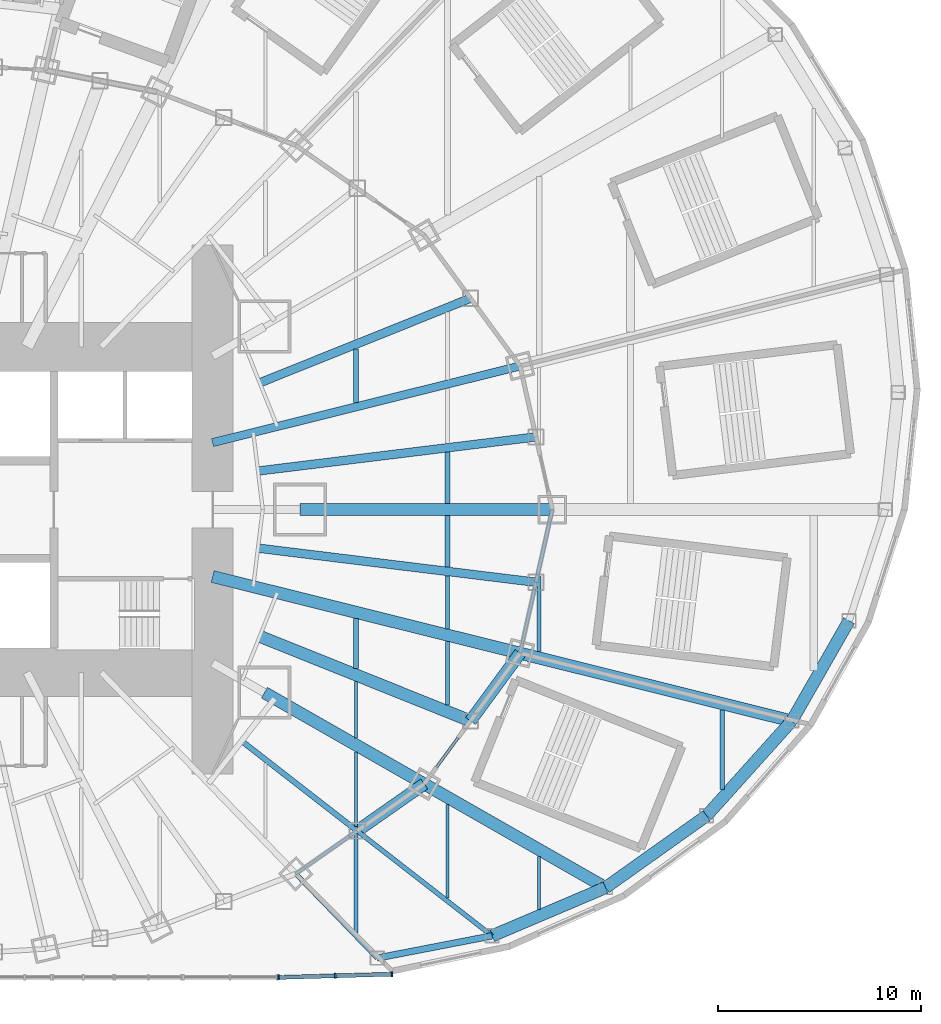
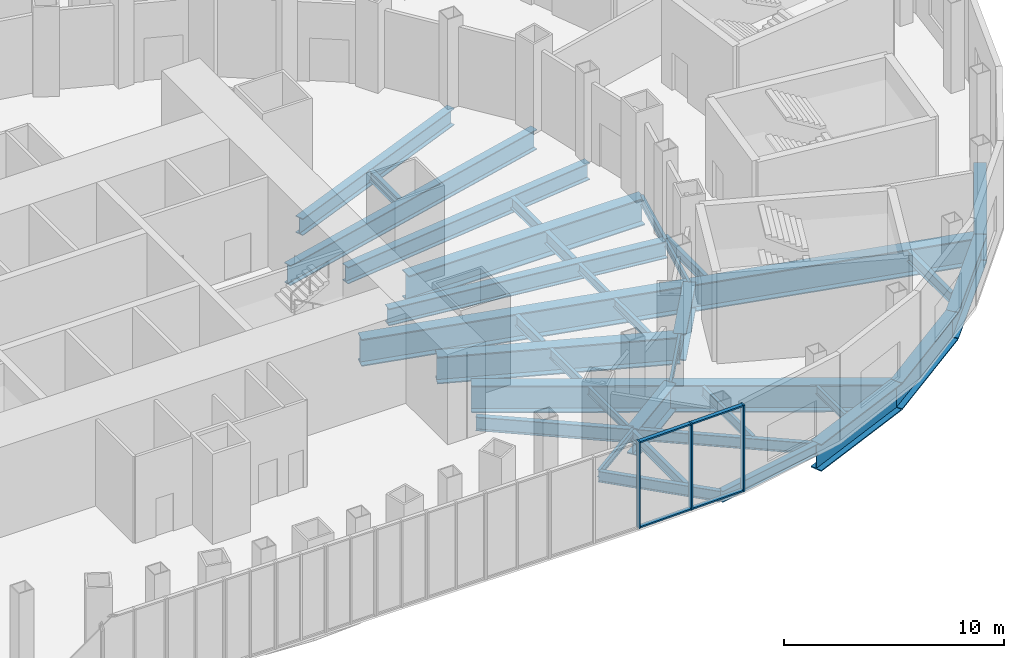
# One storey, part 9 of 73: 37 beams, 7 members, 1 element without a shape of its own.
"""IFC4 building model written with IfcOpenShell, lengths in metres."""

from ifc_helpers import new_model, si_unit, direction, frame, origin, origin_2d, place, context, subcontext, project, spatial, rectangle, i_section, extrude, material, material_profile, profile_set, type_object, element, aggregate, save


model = new_model("IFC4")

# Units and contexts
model_context = context("Model", 3, precision=1e-05, world=origin(), true_north=direction((0.0, 1.0)))
body_context = subcontext(model_context, "Body", "Model", "MODEL_VIEW")
ifc_project = project(units=[si_unit("LENGTHUNIT", "METRE"), si_unit("AREAUNIT", "SQUARE_METRE"), si_unit("VOLUMEUNIT", "CUBIC_METRE"), si_unit("PLANEANGLEUNIT", "RADIAN"), si_unit("MASSUNIT", "GRAM", prefix="KILO")], contexts=[model_context])

# Site, building, storey
site_placement = place(None, origin())
site = spatial("IfcSite", under=ifc_project, at=site_placement, CompositionType="ELEMENT")
building_placement = place(site_placement, origin())
building = spatial("IfcBuilding", under=site, at=building_placement, Name="Lantaw Convention Tower", CompositionType="ELEMENT")
storey_placement = place(building_placement, frame((0.0, 0.0, 22.0)))
storey = spatial("IfcBuildingStorey", under=building, at=storey_placement, Name="L03", CompositionType="ELEMENT", Elevation=22.0)

# Beams
ifc_material_1 = material(Name="Steel ASTM A572 Grade 50", Category="steel")
ifc_material_profile_1 = material_profile(ifc_material_1, i_section(OverallWidth=0.60009765625, OverallDepth=1.5, WebThickness=0.02490234375, FlangeThickness=0.06005859375, at=origin_2d()), Name="PG1500X600X25X60")
ifc_profile_set_1 = profile_set([ifc_material_profile_1], Name="Steel ASTM A572 Grade 50")
beam_type_1 = type_object("IfcBeamType", Name="Beam E PG1500X600X25X60", PredefinedType="SPANDREL", material=ifc_profile_set_1)
beam_1_placement = place(storey_placement, frame((20.308837890625, -15.794189453125, -0.949951171875), z_axis=(0.81942291701, 0.57318939547, 0.0), x_axis=(-0.57318939547, 0.81942291701, 0.0)))
element("IfcBeam", 1, at=beam_1_placement, inside=storey, type_object=beam_type_1, Name="Edge beam 22", PredefinedType="SPANDREL", context=body_context, shape_type="SweptSolid", body=[
    extrude(i_section(OverallWidth=0.60009765625, OverallDepth=1.5, WebThickness=0.02490234375, FlangeThickness=0.06005859375, at=origin_2d()), origin(), (0.0, 0.0, 1.0), 4.0224609375),
])
beam_2_placement = place(storey_placement, frame((25.8779296875, -10.388427734375, -0.949951171875), z_axis=(0.591255937291, 0.806483984105, 0.0), x_axis=(-0.806483984105, 0.591255937291, 0.0)))
element("IfcBeam", 2, at=beam_2_placement, inside=storey, type_object=beam_type_1, Name="Edge beam 23", PredefinedType="SPANDREL", context=body_context, shape_type="SweptSolid", body=[
    extrude(i_section(OverallWidth=0.60009765625, OverallDepth=1.5, WebThickness=0.02490234375, FlangeThickness=0.06005859375, at=origin_2d()), origin(), (0.0, 0.0, 1.0), 4.126708984375),
])
beam_3_placement = place(storey_placement, frame((26.94287109375, -20.95361328125, -0.949951171875), z_axis=(0.920324392734, 0.391155994636, 0.0), x_axis=(-0.391155994636, 0.920324392734, 0.0)))
element("IfcBeam", 3, at=beam_3_placement, inside=storey, type_object=beam_type_1, Name="Podium edge beam B21", PredefinedType="SPANDREL", context=body_context, shape_type="SweptSolid", body=[
    extrude(i_section(OverallWidth=0.60009765625, OverallDepth=1.5, WebThickness=0.02490234375, FlangeThickness=0.06005859375, at=origin_2d()), origin(), (0.0, 0.0, 1.0), 6.060546875),
])
beam_4_placement = place(storey_placement, frame((32.5205078125, -18.5830078125, -0.949951171875), z_axis=(0.814722795246, 0.579850641895, 0.0), x_axis=(-0.579850641895, 0.814722795246, 0.0)))
element("IfcBeam", 4, at=beam_4_placement, inside=storey, type_object=beam_type_1, Name="Podium edge beam R22", PredefinedType="SPANDREL", context=body_context, shape_type="SweptSolid", body=[
    extrude(i_section(OverallWidth=0.60009765625, OverallDepth=1.5, WebThickness=0.02490234375, FlangeThickness=0.06005859375, at=origin_2d()), origin(), (0.0, 0.0, 1.0), 6.095458984375),
])
beam_5_placement = place(storey_placement, frame((37.486572265625, -15.048583984375, -0.949951171875), z_axis=(0.668363614772, 0.74383471178, 0.0), x_axis=(-0.74383471178, 0.668363614772, 0.0)))
element("IfcBeam", 5, at=beam_5_placement, inside=storey, type_object=beam_type_1, Name="Podium edge beam B22", PredefinedType="SPANDREL", context=body_context, shape_type="SweptSolid", body=[
    extrude(i_section(OverallWidth=0.60009765625, OverallDepth=1.5, WebThickness=0.02490234375, FlangeThickness=0.06005859375, at=origin_2d()), origin(), (0.0, 0.0, 1.0), 6.2626953125),
])
beam_6_placement = place(storey_placement, frame((41.67236328125, -10.39013671875, -0.949951171875), z_axis=(0.496180629465, 0.868219317306, 0.0), x_axis=(-0.868219317306, 0.496180629465, 0.0)))
element("IfcBeam", 6, at=beam_6_placement, inside=storey, type_object=beam_type_1, Name="Podium edge beam R23", PredefinedType="SPANDREL", context=body_context, shape_type="SweptSolid", body=[
    extrude(i_section(OverallWidth=0.60009765625, OverallDepth=1.5, WebThickness=0.02490234375, FlangeThickness=0.06005859375, at=origin_2d()), origin(), (0.0, 0.0, 1.0), 5.67578125),
])
ifc_material_2 = material(Name="Steel ASTM A992", Category="steel")
ifc_material_profile_2 = material_profile(ifc_material_2, i_section(OverallWidth=0.140380859375, OverallDepth=0.40380859375, WebThickness=0.007080078125, FlangeThickness=0.01123046875, FilletRadius=0.01025390625, at=origin_2d()), Name="W16X31")
ifc_profile_set_2 = profile_set([ifc_material_profile_2], Name="Steel ASTM A992")
beam_type_2 = type_object("IfcBeamType", Name="Beam E W16X31", PredefinedType="SPANDREL", material=ifc_profile_set_2)
beam_7_placement = place(storey_placement, frame((17.290771484375, -17.9052734375, -0.40185546875), z_axis=(0.819431174801, 0.573177590075, 0.0), x_axis=(-0.573177590075, 0.819431174801, 0.0)))
element("IfcBeam", 7, at=beam_7_placement, inside=storey, type_object=beam_type_2, Name="Edge beam 22", PredefinedType="SPANDREL", context=body_context, shape_type="SweptSolid", body=[
    extrude(i_section(OverallWidth=0.140380859375, OverallDepth=0.40380859375, WebThickness=0.007080078125, FlangeThickness=0.01123046875, FilletRadius=0.01025390625, at=origin_2d()), origin(), (0.0, 0.0, 1.0), 3.68310546875),
])
beam_8_placement = place(storey_placement, frame((23.60498046875, -13.488525390625, -0.40185546875), z_axis=(0.591286566758, 0.806461527893, 0.0), x_axis=(-0.806461527893, 0.591286566758, 0.0)))
element("IfcBeam", 8, at=beam_8_placement, inside=storey, type_object=beam_type_2, Name="Edge beam 23", PredefinedType="SPANDREL", context=body_context, shape_type="SweptSolid", body=[
    extrude(i_section(OverallWidth=0.140380859375, OverallDepth=0.40380859375, WebThickness=0.007080078125, FlangeThickness=0.01123046875, FilletRadius=0.01025390625, at=origin_2d()), origin(), (0.0, 0.0, 1.0), 3.843994140625),
])
beam_9_placement = place(storey_placement, frame((28.31787109375, -7.060302734375, -0.40185546875), z_axis=(0.218673326171, 0.97579812278, 0.0), x_axis=(-0.97579812278, 0.218673326171, 0.0)))
element("IfcBeam", 9, at=beam_9_placement, inside=storey, type_object=beam_type_2, Name="Edge beam 24", PredefinedType="SPANDREL", context=body_context, shape_type="SweptSolid", body=[
    extrude(i_section(OverallWidth=0.140380859375, OverallDepth=0.40380859375, WebThickness=0.007080078125, FlangeThickness=0.01123046875, FilletRadius=0.01025390625, at=origin_2d()), origin(), (0.0, 0.0, 1.0), 3.57373046875),
])
ifc_material_profile_3 = material_profile(ifc_material_2, i_section(OverallWidth=0.165771484375, OverallDepth=0.5283203125, WebThickness=0.009765625, FlangeThickness=0.013671875, FilletRadius=0.012939453125, at=origin_2d()), Name="W21X50")
ifc_profile_set_3 = profile_set([ifc_material_profile_3], Name="Steel ASTM A992")
beam_type_3 = type_object("IfcBeamType", Name="Beam E W21X50", PredefinedType="SPANDREL", material=ifc_profile_set_3)
beam_10_placement = place(storey_placement, frame((29.099365234375, -3.572998046875, -0.464111328125), z_axis=(0.218631550323, 0.975807483679, 0.0), x_axis=(-0.975807483679, 0.218631550323, 0.0)))
element("IfcBeam", 10, at=beam_10_placement, inside=storey, type_object=beam_type_3, Name="Edge beam 24", PredefinedType="SPANDREL", context=body_context, shape_type="SweptSolid", body=[
    extrude(i_section(OverallWidth=0.165771484375, OverallDepth=0.5283203125, WebThickness=0.009765625, FlangeThickness=0.013671875, FilletRadius=0.012939453125, at=origin_2d()), origin(), (0.0, 0.0, 1.0), 3.66162109375),
])
ifc_material_profile_4 = material_profile(ifc_material_2, i_section(OverallWidth=0.3251953125, OverallDepth=0.612060546875, WebThickness=0.0126953125, FlangeThickness=0.01904296875, FilletRadius=0.0126953125, at=origin_2d()), Name="W24X104")
ifc_profile_set_4 = profile_set([ifc_material_profile_4], Name="Steel ASTM A992")
beam_type_4 = type_object("IfcBeamType", Name="Beam E W24X104", PredefinedType="SPANDREL", material=ifc_profile_set_4)
beam_11_placement = place(storey_placement, frame((21.290771484375, -22.04736328125, -0.506103515625), z_axis=(0.981786485539, 0.18998762279, 0.0), x_axis=(-0.18998762279, 0.981786485539, 0.0)))
element("IfcBeam", 11, at=beam_11_placement, inside=storey, type_object=beam_type_4, Name="Podium edge beam R21", PredefinedType="SPANDREL", context=body_context, shape_type="SweptSolid", body=[
    extrude(i_section(OverallWidth=0.3251953125, OverallDepth=0.612060546875, WebThickness=0.0126953125, FlangeThickness=0.01904296875, FilletRadius=0.0126953125, at=origin_2d()), origin(), (0.0, 0.0, 1.0), 5.7568359375),
])
ifc_material_profile_5 = material_profile(ifc_material_1, i_section(OverallWidth=0.60009765625, OverallDepth=1.5, WebThickness=0.02490234375, FlangeThickness=0.06005859375, at=origin_2d()), Name="PG1500X600X25X60")
ifc_profile_set_5 = profile_set([ifc_material_profile_5], Name="Steel ASTM A572 Grade 50")
beam_type_5 = type_object("IfcBeamType", Name="Beam G PG1500X600X25X60", PredefinedType="BEAM", material=ifc_profile_set_5)
beam_12_placement = place(storey_placement, frame((17.5, 0.0, -0.949951171875), z_axis=(1.0, 0.0, 0.0), x_axis=(0.0, 1.0, 0.0)))
element("IfcBeam", 12, at=beam_12_placement, inside=storey, type_object=beam_type_5, Name="Floor girder on ray 1", PredefinedType="BEAM", context=body_context, shape_type="SweptSolid", body=[
    extrude(i_section(OverallWidth=0.60009765625, OverallDepth=1.5, WebThickness=0.02490234375, FlangeThickness=0.06005859375, at=origin_2d()), origin(), (0.0, 0.0, 1.0), 12.39990234375),
])
beam_13_placement = place(storey_placement, frame((15.75, -9.0, -0.949951171875), z_axis=(0.868244802791, -0.496136032179, 0.0), x_axis=(0.496136032179, 0.868244802791, 0.0)))
element("IfcBeam", 13, at=beam_13_placement, inside=storey, type_object=beam_type_5, Name="Floor girder on ray 23", PredefinedType="BEAM", context=body_context, shape_type="SweptSolid", body=[
    extrude(i_section(OverallWidth=0.60009765625, OverallDepth=1.5, WebThickness=0.02490234375, FlangeThickness=0.06005859375, at=origin_2d()), origin(), (0.0, 0.0, 1.0), 9.046875),
])
beam_14_placement = place(storey_placement, frame((15.52001953125, -6.230224609375, -0.949951171875), z_axis=(0.928011337871, -0.37255195179, 0.0), x_axis=(0.37255195179, 0.928011337871, 0.0)))
element("IfcBeam", 14, at=beam_14_placement, inside=storey, type_object=beam_type_5, Name="Floor girder on bisector 23", PredefinedType="BEAM", context=body_context, shape_type="SweptSolid", body=[
    extrude(i_section(OverallWidth=0.60009765625, OverallDepth=1.5, WebThickness=0.02490234375, FlangeThickness=0.06005859375, at=origin_2d()), origin(), (0.0, 0.0, 1.0), 11.161376953125),
])
beam_15_placement = place(storey_placement, frame((13.199951171875, -3.291015625, -0.949951171875), z_axis=(0.970296233567, -0.241919860957, 0.0), x_axis=(0.241919860957, 0.970296233567, 0.0)))
element("IfcBeam", 15, at=beam_15_placement, inside=storey, type_object=beam_type_5, Name="Floor girder on ray 24", PredefinedType="BEAM", context=body_context, shape_type="SweptSolid", body=[
    extrude(i_section(OverallWidth=0.60009765625, OverallDepth=1.5, WebThickness=0.02490234375, FlangeThickness=0.06005859375, at=origin_2d()), origin(), (0.0, 0.0, 1.0), 15.580810546875),
])
ifc_material_profile_6 = material_profile(ifc_material_2, i_section(OverallWidth=0.2666015625, OverallDepth=0.76953125, WebThickness=0.015625, FlangeThickness=0.025390625, FilletRadius=0.0126953125, at=origin_2d()), Name="W30X132")
ifc_profile_set_6 = profile_set([ifc_material_profile_6], Name="Steel ASTM A992")
beam_type_6 = type_object("IfcBeamType", Name="Beam G W30X132", PredefinedType="BEAM", material=ifc_profile_set_6)
beam_16_placement = place(storey_placement, frame((14.628173828125, -11.37646484375, -0.584716796875), z_axis=(0.789390578332, -0.613891289106, 0.0), x_axis=(0.613891289106, 0.789390578332, 0.0)))
element("IfcBeam", 16, at=beam_16_placement, inside=storey, type_object=beam_type_6, Name="Floor girder on bisector 22", PredefinedType="BEAM", context=body_context, shape_type="SweptSolid", body=[
    extrude(i_section(OverallWidth=0.2666015625, OverallDepth=0.76953125, WebThickness=0.015625, FlangeThickness=0.025390625, FilletRadius=0.0126953125, at=origin_2d()), origin(), (0.0, 0.0, 1.0), 7.1962890625),
])
ifc_material_profile_7 = material_profile(ifc_material_2, i_section(OverallWidth=0.421630859375, OverallDepth=0.937255859375, WebThickness=0.0224609375, FlangeThickness=0.039794921875, FilletRadius=0.02001953125, at=origin_2d()), Name="W36X282")
ifc_profile_set_7 = profile_set([ifc_material_profile_7], Name="Steel ASTM A992")
beam_type_7 = type_object("IfcBeamType", Name="Beam G W36X282", PredefinedType="BEAM", material=ifc_profile_set_7)
beam_17_placement = place(storey_placement, frame((15.433349609375, 1.89501953125, -0.668701171875), z_axis=(0.99254612715, 0.121869542874, 0.0), x_axis=(-0.121869542874, 0.99254612715, 0.0)))
element("IfcBeam", 17, at=beam_17_placement, inside=storey, type_object=beam_type_7, Name="Floor girder on bisector 1", PredefinedType="BEAM", context=body_context, shape_type="SweptSolid", body=[
    extrude(i_section(OverallWidth=0.421630859375, OverallDepth=0.937255859375, WebThickness=0.0224609375, FlangeThickness=0.039794921875, FilletRadius=0.02001953125, at=origin_2d()), origin(), (0.0, 0.0, 1.0), 13.7685546875),
])
beam_18_placement = place(storey_placement, frame((15.52001953125, 6.23046875, -0.668701171875), z_axis=(0.928018900171, 0.372533113864, 0.0), x_axis=(-0.372533113864, 0.928018900171, 0.0)))
element("IfcBeam", 18, at=beam_18_placement, inside=storey, type_object=beam_type_7, Name="Floor girder on bisector 2", PredefinedType="BEAM", context=body_context, shape_type="SweptSolid", body=[
    extrude(i_section(OverallWidth=0.421630859375, OverallDepth=0.937255859375, WebThickness=0.0224609375, FlangeThickness=0.039794921875, FilletRadius=0.02001953125, at=origin_2d()), origin(), (0.0, 0.0, 1.0), 11.161376953125),
])
ifc_material_profile_8 = material_profile(ifc_material_2, i_section(OverallWidth=0.424072265625, OverallDepth=0.947509765625, WebThickness=0.02392578125, FlangeThickness=0.042724609375, FilletRadius=0.012451171875, at=origin_2d()), Name="W36X302")
ifc_profile_set_8 = profile_set([ifc_material_profile_8], Name="Steel ASTM A992")
beam_type_8 = type_object("IfcBeamType", Name="Beam G W36X302", PredefinedType="BEAM", material=ifc_profile_set_8)
beam_19_placement = place(storey_placement, frame((15.433349609375, -1.89501953125, -0.673828125), z_axis=(0.99254612715, -0.121869542874, 0.0), x_axis=(0.121869542874, 0.99254612715, 0.0)))
element("IfcBeam", 19, at=beam_19_placement, inside=storey, type_object=beam_type_8, Name="Floor girder on bisector 24", PredefinedType="BEAM", context=body_context, shape_type="SweptSolid", body=[
    extrude(i_section(OverallWidth=0.424072265625, OverallDepth=0.947509765625, WebThickness=0.02392578125, FlangeThickness=0.042724609375, FilletRadius=0.012451171875, at=origin_2d()), origin(), (0.0, 0.0, 1.0), 13.7685546875),
])
ifc_material_profile_9 = material_profile(ifc_material_2, i_section(OverallWidth=0.40380859375, OverallDepth=1.11767578125, WebThickness=0.026123046875, FlangeThickness=0.044921875, FilletRadius=0.02001953125, at=origin_2d()), Name="W44X335")
ifc_profile_set_9 = profile_set([ifc_material_profile_9], Name="Steel ASTM A992")
beam_type_9 = type_object("IfcBeamType", Name="Beam G W44X335", PredefinedType="BEAM", material=ifc_profile_set_9)
beam_20_placement = place(storey_placement, frame((13.199951171875, 3.291015625, -0.7587890625), z_axis=(0.970296233567, 0.241919860957, 0.0), x_axis=(-0.241919860957, 0.970296233567, 0.0)))
element("IfcBeam", 20, at=beam_20_placement, inside=storey, type_object=beam_type_9, Name="Floor girder on ray 2", PredefinedType="BEAM", context=body_context, shape_type="SweptSolid", body=[
    extrude(i_section(OverallWidth=0.40380859375, OverallDepth=1.11767578125, WebThickness=0.026123046875, FlangeThickness=0.044921875, FilletRadius=0.02001953125, at=origin_2d()), origin(), (0.0, 0.0, 1.0), 15.580810546875),
])
ifc_material_profile_10 = material_profile(ifc_material_2, i_section(OverallWidth=0.15234375, OverallDepth=0.449462890625, WebThickness=0.007568359375, FlangeThickness=0.0107421875, FilletRadius=0.01025390625, at=origin_2d()), Name="W18X35")
ifc_profile_set_10 = profile_set([ifc_material_profile_10], Name="Steel ASTM A992")
beam_type_10 = type_object("IfcBeamType", Name="Beam J W18X35", PredefinedType="JOIST", material=ifc_profile_set_10)
beam_21_placement = place(storey_placement, frame((20.25, -15.57958984375, -0.4248046875), z_axis=(0.0, 1.0, 0.0), x_axis=(-1.0, 0.0, 0.0)))
element("IfcBeam", 21, at=beam_21_placement, inside=storey, type_object=beam_type_10, Name="Floor joist", PredefinedType="JOIST", context=body_context, shape_type="SweptSolid", body=[
    extrude(i_section(OverallWidth=0.15234375, OverallDepth=0.449462890625, WebThickness=0.007568359375, FlangeThickness=0.0107421875, FilletRadius=0.01025390625, at=origin_2d()), origin(), (0.0, 0.0, 1.0), 3.66259765625),
])
beam_22_placement = place(storey_placement, frame((29.25, -19.647216796875, -0.4248046875), z_axis=(0.0, 1.0, 0.0), x_axis=(-1.0, 0.0, 0.0)))
element("IfcBeam", 22, at=beam_22_placement, inside=storey, type_object=beam_type_10, Name="Floor joist", PredefinedType="JOIST", context=body_context, shape_type="SweptSolid", body=[
    extrude(i_section(OverallWidth=0.15234375, OverallDepth=0.449462890625, WebThickness=0.007568359375, FlangeThickness=0.0107421875, FilletRadius=0.01025390625, at=origin_2d()), origin(), (0.0, 0.0, 1.0), 2.58740234375),
])
ifc_material_profile_11 = material_profile(ifc_material_2, i_section(OverallWidth=0.1904296875, OverallDepth=0.457275390625, WebThickness=0.009033203125, FlangeThickness=0.014404296875, FilletRadius=0.01025390625, at=origin_2d()), Name="W18X50")
ifc_profile_set_11 = profile_set([ifc_material_profile_11], Name="Steel ASTM A992")
beam_type_11 = type_object("IfcBeamType", Name="Beam J W18X50", PredefinedType="JOIST", material=ifc_profile_set_11)
beam_23_placement = place(storey_placement, frame((24.75, -9.6123046875, -0.4287109375), z_axis=(0.0, 1.0, 0.0), x_axis=(-1.0, 0.0, 0.0)))
element("IfcBeam", 23, at=beam_23_placement, inside=storey, type_object=beam_type_11, Name="Floor joist", PredefinedType="JOIST", context=body_context, shape_type="SweptSolid", body=[
    extrude(i_section(OverallWidth=0.1904296875, OverallDepth=0.457275390625, WebThickness=0.009033203125, FlangeThickness=0.014404296875, FilletRadius=0.01025390625, at=origin_2d()), origin(), (0.0, 0.0, 1.0), 3.13232421875),
])
beam_24_placement = place(storey_placement, frame((24.75, -5.861572265625, -0.4287109375), z_axis=(0.0, 1.0, 0.0), x_axis=(-1.0, 0.0, 0.0)))
element("IfcBeam", 24, at=beam_24_placement, inside=storey, type_object=beam_type_11, Name="Floor joist", PredefinedType="JOIST", context=body_context, shape_type="SweptSolid", body=[
    extrude(i_section(OverallWidth=0.1904296875, OverallDepth=0.457275390625, WebThickness=0.009033203125, FlangeThickness=0.014404296875, FilletRadius=0.01025390625, at=origin_2d()), origin(), (0.0, 0.0, 1.0), 2.60888671875),
])
ifc_material_profile_12 = material_profile(ifc_material_2, i_section(OverallWidth=0.1650390625, OverallDepth=0.52587890625, WebThickness=0.0087890625, FlangeThickness=0.011474609375, FilletRadius=0.0126953125, at=origin_2d()), Name="W21X44")
ifc_profile_set_12 = profile_set([ifc_material_profile_12], Name="Steel ASTM A992")
beam_type_12 = type_object("IfcBeamType", Name="Beam J W21X44", PredefinedType="JOIST", material=ifc_profile_set_12)
beam_25_placement = place(storey_placement, frame((20.25, -11.225830078125, -0.462890625), z_axis=(0.0, 1.0, 0.0), x_axis=(-1.0, 0.0, 0.0)))
element("IfcBeam", 25, at=beam_25_placement, inside=storey, type_object=beam_type_12, Name="Floor joist", PredefinedType="JOIST", context=body_context, shape_type="SweptSolid", body=[
    extrude(i_section(OverallWidth=0.1650390625, OverallDepth=0.52587890625, WebThickness=0.0087890625, FlangeThickness=0.011474609375, FilletRadius=0.0126953125, at=origin_2d()), origin(), (0.0, 0.0, 1.0), 2.7734375),
])
beam_26_placement = place(storey_placement, frame((24.75, -19.10302734375, -0.462890625), z_axis=(0.0, 1.0, 0.0), x_axis=(-1.0, 0.0, 0.0)))
element("IfcBeam", 26, at=beam_26_placement, inside=storey, type_object=beam_type_12, Name="Floor joist", PredefinedType="JOIST", context=body_context, shape_type="SweptSolid", body=[
    extrude(i_section(OverallWidth=0.1650390625, OverallDepth=0.52587890625, WebThickness=0.0087890625, FlangeThickness=0.011474609375, FilletRadius=0.0126953125, at=origin_2d()), origin(), (0.0, 0.0, 1.0), 4.61474609375),
])
ifc_material_profile_13 = material_profile(ifc_material_2, i_section(OverallWidth=0.209228515625, OverallDepth=0.533447265625, WebThickness=0.01025390625, FlangeThickness=0.015625, FilletRadius=0.012939453125, at=origin_2d()), Name="W21X62")
ifc_profile_set_13 = profile_set([ifc_material_profile_13], Name="Steel ASTM A992")
beam_type_13 = type_object("IfcBeamType", Name="Beam J W21X62", PredefinedType="JOIST", material=ifc_profile_set_13)
beam_27_placement = place(storey_placement, frame((29.25, -6.983642578125, -0.466796875), z_axis=(0.0, 1.0, 0.0), x_axis=(-1.0, 0.0, 0.0)))
element("IfcBeam", 27, at=beam_27_placement, inside=storey, type_object=beam_type_13, Name="Floor joist", PredefinedType="JOIST", context=body_context, shape_type="SweptSolid", body=[
    extrude(i_section(OverallWidth=0.209228515625, OverallDepth=0.533447265625, WebThickness=0.01025390625, FlangeThickness=0.015625, FilletRadius=0.012939453125, at=origin_2d()), origin(), (0.0, 0.0, 1.0), 3.703857421875),
])
ifc_material_profile_14 = material_profile(ifc_material_2, i_section(OverallWidth=0.2099609375, OverallDepth=0.535888671875, WebThickness=0.010986328125, FlangeThickness=0.017333984375, FilletRadius=0.012939453125, at=origin_2d()), Name="W21X68")
ifc_profile_set_14 = profile_set([ifc_material_profile_14], Name="Steel ASTM A992")
beam_type_14 = type_object("IfcBeamType", Name="Beam J W21X68", PredefinedType="JOIST", material=ifc_profile_set_14)
beam_28_placement = place(storey_placement, frame((20.25, -20.805419921875, -0.468017578125), z_axis=(0.0, 1.0, 0.0), x_axis=(-1.0, 0.0, 0.0)))
element("IfcBeam", 28, at=beam_28_placement, inside=storey, type_object=beam_type_14, Name="Floor joist", PredefinedType="JOIST", context=body_context, shape_type="SweptSolid", body=[
    extrude(i_section(OverallWidth=0.2099609375, OverallDepth=0.535888671875, WebThickness=0.010986328125, FlangeThickness=0.017333984375, FilletRadius=0.012939453125, at=origin_2d()), origin(), (0.0, 0.0, 1.0), 4.884521484375),
])
ifc_material_profile_15 = material_profile(ifc_material_2, i_section(OverallWidth=0.227783203125, OverallDepth=0.60205078125, WebThickness=0.010498046875, FlangeThickness=0.014892578125, FilletRadius=0.012939453125, at=origin_2d()), Name="W24X68")
ifc_profile_set_15 = profile_set([ifc_material_profile_15], Name="Steel ASTM A992")
beam_type_15 = type_object("IfcBeamType", Name="Beam J W24X68", PredefinedType="JOIST", material=ifc_profile_set_15)
beam_29_placement = place(storey_placement, frame((20.25, -7.805908203125, -0.5009765625), z_axis=(0.0, 1.0, 0.0), x_axis=(-1.0, 0.0, 0.0)))
element("IfcBeam", 29, at=beam_29_placement, inside=storey, type_object=beam_type_15, Name="Floor joist", PredefinedType="JOIST", context=body_context, shape_type="SweptSolid", body=[
    extrude(i_section(OverallWidth=0.227783203125, OverallDepth=0.60205078125, WebThickness=0.010498046875, FlangeThickness=0.014892578125, FilletRadius=0.012939453125, at=origin_2d()), origin(), (0.0, 0.0, 1.0), 2.44775390625),
])
beam_30_placement = place(storey_placement, frame((20.25, 5.257080078125, -0.5009765625), z_axis=(0.0, 1.0, 0.0), x_axis=(-1.0, 0.0, 0.0)))
element("IfcBeam", 30, at=beam_30_placement, inside=storey, type_object=beam_type_15, Name="Floor joist", PredefinedType="JOIST", context=body_context, shape_type="SweptSolid", body=[
    extrude(i_section(OverallWidth=0.227783203125, OverallDepth=0.60205078125, WebThickness=0.010498046875, FlangeThickness=0.014892578125, FilletRadius=0.012939453125, at=origin_2d()), origin(), (0.0, 0.0, 1.0), 2.64501953125),
])
ifc_material_profile_16 = material_profile(ifc_material_2, i_section(OverallWidth=0.22900390625, OverallDepth=0.612060546875, WebThickness=0.011962890625, FlangeThickness=0.01953125, FilletRadius=0.0126953125, at=origin_2d()), Name="W24X84")
ifc_profile_set_16 = profile_set([ifc_material_profile_16], Name="Steel ASTM A992")
beam_type_16 = type_object("IfcBeamType", Name="Beam J W24X84", PredefinedType="JOIST", material=ifc_profile_set_16)
beam_31_placement = place(storey_placement, frame((24.75, 0.300048828125, -0.506103515625), z_axis=(0.0, 1.0, 0.0), x_axis=(-1.0, 0.0, 0.0)))
element("IfcBeam", 31, at=beam_31_placement, inside=storey, type_object=beam_type_16, Name="Floor joist", PredefinedType="JOIST", context=body_context, shape_type="SweptSolid", body=[
    extrude(i_section(OverallWidth=0.22900390625, OverallDepth=0.612060546875, WebThickness=0.011962890625, FlangeThickness=0.01953125, FilletRadius=0.0126953125, at=origin_2d()), origin(), (0.0, 0.0, 1.0), 2.5263671875),
])
beam_32_placement = place(storey_placement, frame((38.25, -13.75, -0.506103515625), z_axis=(0.0, 1.0, 0.0), x_axis=(-1.0, 0.0, 0.0)))
element("IfcBeam", 32, at=beam_32_placement, inside=storey, type_object=beam_type_16, Name="Floor joist", PredefinedType="JOIST", context=body_context, shape_type="SweptSolid", body=[
    extrude(i_section(OverallWidth=0.22900390625, OverallDepth=0.612060546875, WebThickness=0.011962890625, FlangeThickness=0.01953125, FilletRadius=0.0126953125, at=origin_2d()), origin(), (0.0, 0.0, 1.0), 3.904052734375),
])
ifc_material_profile_17 = material_profile(ifc_material_2, i_section(OverallWidth=0.25390625, OverallDepth=0.683349609375, WebThickness=0.012451171875, FlangeThickness=0.01904296875, FilletRadius=0.01513671875, at=origin_2d()), Name="W27X94")
ifc_profile_set_17 = profile_set([ifc_material_profile_17], Name="Steel ASTM A992")
beam_type_17 = type_object("IfcBeamType", Name="Beam J W27X94", PredefinedType="JOIST", material=ifc_profile_set_17)
beam_33_placement = place(storey_placement, frame((24.75, -2.8251953125, -0.541748046875), z_axis=(0.0, 1.0, 0.0), x_axis=(-1.0, 0.0, 0.0)))
element("IfcBeam", 33, at=beam_33_placement, inside=storey, type_object=beam_type_17, Name="Floor joist", PredefinedType="JOIST", context=body_context, shape_type="SweptSolid", body=[
    extrude(i_section(OverallWidth=0.25390625, OverallDepth=0.683349609375, WebThickness=0.012451171875, FlangeThickness=0.01904296875, FilletRadius=0.01513671875, at=origin_2d()), origin(), (0.0, 0.0, 1.0), 2.525146484375),
])
ifc_material_profile_18 = material_profile(ifc_material_1, i_section(OverallWidth=0.60009765625, OverallDepth=1.5, WebThickness=0.02490234375, FlangeThickness=0.06005859375, at=origin_2d()), Name="PG1500X600X25X60")
ifc_profile_set_18 = profile_set([ifc_material_profile_18], Name="Steel ASTM A572 Grade 50")
beam_type_18 = type_object("IfcBeamType", Name="Beam PG PG1500X600X25X60", PredefinedType="BEAM", material=ifc_profile_set_18)
beam_34_placement = place(storey_placement, frame((23.60498046875, -13.488525390625, -0.949951171875), z_axis=(0.868247531483, -0.4961312569, 0.0), x_axis=(0.4961312569, 0.868247531483, 0.0)))
element("IfcBeam", 34, at=beam_34_placement, inside=storey, type_object=beam_type_18, Name="Podium girder PR23", PredefinedType="BEAM", context=body_context, shape_type="SweptSolid", body=[
    extrude(i_section(OverallWidth=0.60009765625, OverallDepth=1.5, WebThickness=0.02490234375, FlangeThickness=0.06005859375, at=origin_2d()), origin(), (0.0, 0.0, 1.0), 10.268310546875),
])
beam_35_placement = place(storey_placement, frame((28.31787109375, -7.060302734375, -0.949951171875), z_axis=(0.97029256898, -0.24193455847, 0.0), x_axis=(0.24193455847, 0.97029256898, 0.0)))
element("IfcBeam", 35, at=beam_35_placement, inside=storey, type_object=beam_type_18, Name="Podium girder PR24", PredefinedType="BEAM", context=body_context, shape_type="SweptSolid", body=[
    extrude(i_section(OverallWidth=0.60009765625, OverallDepth=1.5, WebThickness=0.02490234375, FlangeThickness=0.06005859375, at=origin_2d()), origin(), (0.0, 0.0, 1.0), 13.763427734375),
])
ifc_material_profile_19 = material_profile(ifc_material_2, i_section(OverallWidth=0.227783203125, OverallDepth=0.60205078125, WebThickness=0.010498046875, FlangeThickness=0.014892578125, FilletRadius=0.012939453125, at=origin_2d()), Name="W24X68")
ifc_profile_set_19 = profile_set([ifc_material_profile_19], Name="Steel ASTM A992")
beam_type_19 = type_object("IfcBeamType", Name="Beam PG W24X68", PredefinedType="BEAM", material=ifc_profile_set_19)
beam_36_placement = place(storey_placement, frame((17.290771484375, -17.9052734375, -0.5009765625), z_axis=(0.694661096328, -0.719337167987, 0.0), x_axis=(0.719337167987, 0.694661096328, 0.0)))
element("IfcBeam", 36, at=beam_36_placement, inside=storey, type_object=beam_type_19, Name="Podium girder PR22", PredefinedType="BEAM", context=body_context, shape_type="SweptSolid", body=[
    extrude(i_section(OverallWidth=0.227783203125, OverallDepth=0.60205078125, WebThickness=0.010498046875, FlangeThickness=0.014892578125, FilletRadius=0.012939453125, at=origin_2d()), origin(), (0.0, 0.0, 1.0), 5.75830078125),
])
ifc_material_profile_20 = material_profile(ifc_material_2, i_section(OverallWidth=0.22900390625, OverallDepth=0.612060546875, WebThickness=0.011962890625, FlangeThickness=0.01953125, FilletRadius=0.0126953125, at=origin_2d()), Name="W24X84")
ifc_profile_set_20 = profile_set([ifc_material_profile_20], Name="Steel ASTM A992")
beam_type_20 = type_object("IfcBeamType", Name="Beam PG W24X84", PredefinedType="BEAM", material=ifc_profile_set_20)
beam_37_placement = place(storey_placement, frame((20.308837890625, -15.794189453125, -0.506103515625), z_axis=(0.789374116062, -0.613912457025, 0.0), x_axis=(0.613912457025, 0.789374116062, 0.0)))
element("IfcBeam", 37, at=beam_37_placement, inside=storey, type_object=beam_type_20, Name="Podium girder PB22", PredefinedType="BEAM", context=body_context, shape_type="SweptSolid", body=[
    extrude(i_section(OverallWidth=0.22900390625, OverallDepth=0.612060546875, WebThickness=0.011962890625, FlangeThickness=0.01953125, FilletRadius=0.0126953125, at=origin_2d()), origin(), (0.0, 0.0, 1.0), 8.404052734375),
])

# Curtain wall, members
ifc_material_3 = material(Name="Aluminium framed curtain wall", Category="aluminium")
curtain_wall_type = type_object("IfcCurtainWallType", Name="Podium storefront curtain wall, pale aluminium", PredefinedType="USERDEFINED", material=ifc_material_3)
curtain_wall_placement = place(storey_placement, origin())
curtain_wall = element("IfcCurtainWall", 38, at=curtain_wall_placement, inside=storey, type_object=curtain_wall_type, Name="Podium storefront curtain wall, pale aluminium L03", ObjectType="STOREFRONT", PredefinedType="USERDEFINED")
ifc_material_4 = material(Name="Aluminium 6063-T6", Category="aluminium")
ifc_material_profile_21 = material_profile(ifc_material_4, rectangle(XDim=0.25, YDim=0.080078125, at=origin_2d()), Name="CW-P mullion 80x250")
ifc_profile_set_21 = profile_set([ifc_material_profile_21], Name="Aluminium 6063-T6")
member_type_1 = type_object("IfcMemberType", Name="CW-P mullion 80x250", PredefinedType="MULLION", material=ifc_profile_set_21)
member_1_placement = place(storey_placement, frame((16.44580078125, -22.998779296875, 0.0), z_axis=(0.0, 0.0, 1.0), x_axis=(-0.028552206976, 0.99959230263, 0.0)))
member_1 = element("IfcMember", 39, at=member_1_placement, type_object=member_type_1, Name="CW-P mullion 1", PredefinedType="MULLION", context=body_context, shape_type="SweptSolid", body=[
    extrude(rectangle(XDim=0.25, YDim=0.080078125, at=origin_2d()), origin(), (0.0, 0.0, 1.0), 4.800048828125),
])
member_2_placement = place(storey_placement, frame((19.23046875, -22.91943359375, 0.0), z_axis=(0.0, 0.0, 1.0), x_axis=(-0.028552206976, 0.99959230263, 0.0)))
member_2 = element("IfcMember", 40, at=member_2_placement, type_object=member_type_1, Name="CW-P mullion 2", PredefinedType="MULLION", context=body_context, shape_type="SweptSolid", body=[
    extrude(rectangle(XDim=0.25, YDim=0.080078125, at=origin_2d()), origin(), (0.0, 0.0, 1.0), 4.800048828125),
])
member_3_placement = place(storey_placement, frame((22.01513671875, -22.83984375, 0.0), z_axis=(0.0, 0.0, 1.0), x_axis=(-0.028552206976, 0.99959230263, 0.0)))
member_3 = element("IfcMember", 41, at=member_3_placement, type_object=member_type_1, Name="CW-P mullion 3", PredefinedType="MULLION", context=body_context, shape_type="SweptSolid", body=[
    extrude(rectangle(XDim=0.25, YDim=0.080078125, at=origin_2d()), origin(), (0.0, 0.0, 1.0), 4.800048828125),
])
ifc_material_profile_22 = material_profile(ifc_material_4, rectangle(XDim=0.199951171875, YDim=0.080078125, at=origin_2d()), Name="CW-P transom 80x200")
ifc_profile_set_22 = profile_set([ifc_material_profile_22], Name="Aluminium 6063-T6")
member_type_2 = type_object("IfcMemberType", Name="CW-P transom 80x200", PredefinedType="USERDEFINED", material=ifc_profile_set_22)
member_4_placement = place(storey_placement, frame((16.485595703125, -22.997802734375, 0.0400390625), z_axis=(0.999590908137, 0.028600985457, 0.0), x_axis=(-0.028600985457, 0.999590908137, 0.0)))
member_4 = element("IfcMember", 42, at=member_4_placement, type_object=member_type_2, Name="CW-P transom 1.1", ObjectType="TRANSOM", PredefinedType="USERDEFINED", context=body_context, shape_type="SweptSolid", body=[
    extrude(rectangle(XDim=0.199951171875, YDim=0.080078125, at=origin_2d()), origin(), (0.0, 0.0, 1.0), 2.7060546875),
])
member_5_placement = place(storey_placement, frame((16.485595703125, -22.997802734375, 4.760009765625), z_axis=(0.999590908137, 0.028600985457, 0.0), x_axis=(-0.028600985457, 0.999590908137, 0.0)))
member_5 = element("IfcMember", 43, at=member_5_placement, type_object=member_type_2, Name="CW-P transom 1.2", ObjectType="TRANSOM", PredefinedType="USERDEFINED", context=body_context, shape_type="SweptSolid", body=[
    extrude(rectangle(XDim=0.199951171875, YDim=0.080078125, at=origin_2d()), origin(), (0.0, 0.0, 1.0), 2.7060546875),
])
member_6_placement = place(storey_placement, frame((19.270263671875, -22.918212890625, 0.0400390625), z_axis=(0.999590908137, 0.028600985457, 0.0), x_axis=(-0.028600985457, 0.999590908137, 0.0)))
member_6 = element("IfcMember", 44, at=member_6_placement, type_object=member_type_2, Name="CW-P transom 2.1", ObjectType="TRANSOM", PredefinedType="USERDEFINED", context=body_context, shape_type="SweptSolid", body=[
    extrude(rectangle(XDim=0.199951171875, YDim=0.080078125, at=origin_2d()), origin(), (0.0, 0.0, 1.0), 2.7060546875),
])
member_7_placement = place(storey_placement, frame((19.270263671875, -22.918212890625, 4.760009765625), z_axis=(0.999590908137, 0.028600985457, 0.0), x_axis=(-0.028600985457, 0.999590908137, 0.0)))
member_7 = element("IfcMember", 45, at=member_7_placement, type_object=member_type_2, Name="CW-P transom 2.2", ObjectType="TRANSOM", PredefinedType="USERDEFINED", context=body_context, shape_type="SweptSolid", body=[
    extrude(rectangle(XDim=0.199951171875, YDim=0.080078125, at=origin_2d()), origin(), (0.0, 0.0, 1.0), 2.7060546875),
])
aggregate(curtain_wall, [member_1, member_2, member_3, member_4, member_5, member_6, member_7])

save(model, "model.ifc")
